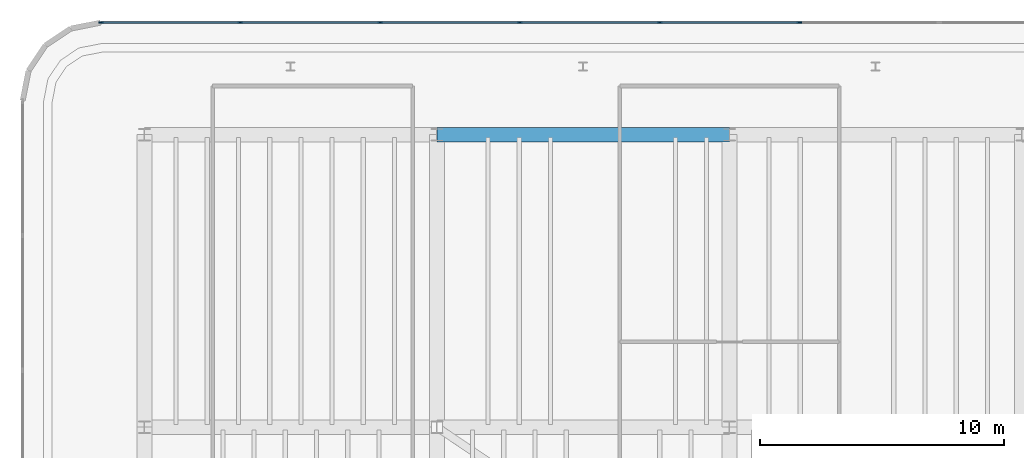
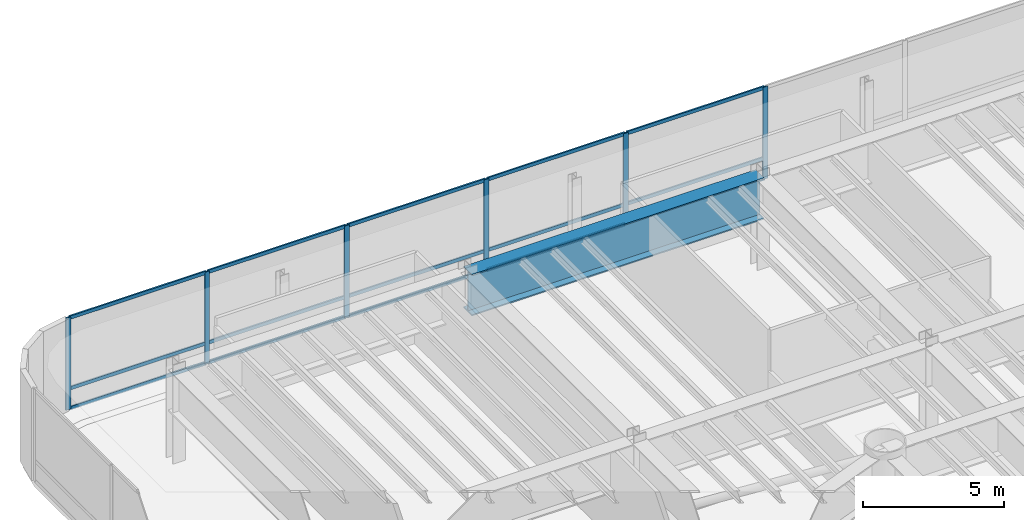
# One storey, part 9 of 18: 21 members, 1 beam, 1 element without a shape of its own.
"""IFC4 building model written with IfcOpenShell, lengths in metres."""

import ifcopenshell
import ifcopenshell.guid

model = None  # the IFC model being written
_history = None  # IfcOwnerHistory: only IFC2X3 demands one
_inside = {}  # id of a spatial element -> (the spatial element, [elements in it])
_under = {}  # id of a project, library or spatial element -> (it, [spatial elements below it])
_declared = {}  # id of a project -> (the project, [libraries it declares])
_typed = {}  # id of a type object -> (the type object, [elements of that type])
_made_of = {}  # id of a material, layer set ... -> (it, [elements and type objects made of it])


def new_model(schema):
    """Start an empty IFC model of exactly this schema.

    Asked for "IFC4X3", IfcOpenShell would pick the latest addendum, in which some entities
    have other attributes; the version numbers below select the first issue.
    IFC2X3 requires an IfcOwnerHistory on every rooted entity: one is made here for all.
    """
    global model, _history
    if schema == "IFC4X3":
        model = ifcopenshell.file(schema_version=(4, 3, 0, 0))
    else:
        model = ifcopenshell.file(schema=schema)
    _inside.clear()
    _under.clear()
    _declared.clear()
    _typed.clear()
    _made_of.clear()
    _history = None
    if model.schema == "IFC2X3":
        org = make("IfcOrganization", Name="unknown")
        user = make(
            "IfcPersonAndOrganization",
            ThePerson=make("IfcPerson", FamilyName="unknown"),
            TheOrganization=org,
        )
        app = make(
            "IfcApplication",
            ApplicationDeveloper=org,
            Version="unknown",
            ApplicationFullName="unknown",
            ApplicationIdentifier="unknown",
        )
        _history = make(
            "IfcOwnerHistory",
            OwningUser=user,
            OwningApplication=app,
            ChangeAction="ADDED",
            CreationDate=0,
        )
    return model


def make(cls, **values):
    """One entity of the class cls with the attributes given. An attribute that is None is left unset."""
    return model.create_entity(
        cls, **{name: value for name, value in values.items() if value is not None}
    )


def rooted(cls, **values):
    """An entity with a GlobalId (a new one), such as an element, a storey or a relation."""
    return make(cls, GlobalId=ifcopenshell.guid.new(), OwnerHistory=_history, **values)


def si_unit(unit_type, name, prefix=None):
    """IfcSIUnit, for example si_unit("LENGTHUNIT", "METRE", prefix="MILLI")."""
    return make("IfcSIUnit", UnitType=unit_type, Prefix=prefix, Name=name)


def assignment(units):
    """IfcUnitAssignment: the units of a project."""
    return None if units is None else make("IfcUnitAssignment", Units=units)


def point(xyz):
    """IfcCartesianPoint."""
    return None if xyz is None else make("IfcCartesianPoint", Coordinates=xyz)


def direction(xyz):
    """IfcDirection."""
    return None if xyz is None else make("IfcDirection", DirectionRatios=xyz)


def frame(location, z_axis=None, x_axis=None):
    """IfcAxis2Placement3D, a coordinate frame: its origin and axes. An axis left out is left unset."""
    return make(
        "IfcAxis2Placement3D",
        Location=point(location),
        Axis=direction(z_axis),
        RefDirection=direction(x_axis),
    )


def frame_2d(location, x_axis=None):
    """IfcAxis2Placement2D, a coordinate frame in the plane: its origin and x axis."""
    return make(
        "IfcAxis2Placement2D", Location=point(location), RefDirection=direction(x_axis)
    )


def origin():
    """The frame at (0, 0, 0) with its axes left unset."""
    return frame((0.0, 0.0, 0.0))


def origin_2d():
    """The frame at (0, 0) in the plane with its x axis left unset."""
    return frame_2d((0.0, 0.0))


def place(relative_to, where):
    """IfcLocalPlacement: puts the frame where relative to a parent placement (None: the world)."""
    return make(
        "IfcLocalPlacement", PlacementRelTo=relative_to, RelativePlacement=where
    )


def context(
    kind, dimensions, precision=None, world=None, true_north=None, identifier=None
):
    """IfcGeometricRepresentationContext, for example the 3D "Model" context."""
    return make(
        "IfcGeometricRepresentationContext",
        ContextIdentifier=identifier,
        ContextType=kind,
        CoordinateSpaceDimension=dimensions,
        Precision=precision,
        WorldCoordinateSystem=world,
        TrueNorth=true_north,
    )


def subcontext(parent, identifier, kind, view, scale=None):
    """IfcGeometricRepresentationSubContext, for example "Body" below "Model"."""
    return make(
        "IfcGeometricRepresentationSubContext",
        ContextIdentifier=identifier,
        ContextType=kind,
        ParentContext=parent,
        TargetScale=scale,
        TargetView=view,
    )


def project(units=None, contexts=None):
    """IfcProject with its units and contexts."""
    return rooted(
        "IfcProject",
        Name="project",
        RepresentationContexts=contexts,
        UnitsInContext=assignment(units),
    )


def spatial(cls, under=None, at=None, **own):
    """A site, building, storey or space (cls), placed at a placement, below another one or the project."""
    s = rooted(cls, ObjectPlacement=at, **own)
    if under is not None:
        _under.setdefault(under.id(), (under, []))[1].append(s)
    return s


def profile(cls, at=None, kind="AREA", **sizes):
    """A parametric profile (cls). Its sizes go by their IFC names, for example OverallWidth=200.0."""
    return make(cls, ProfileType=kind, Position=at, **sizes)


def rectangle(**sizes):
    """IfcRectangleProfileDef."""
    return profile("IfcRectangleProfileDef", **sizes)


def i_section(**sizes):
    """IfcIShapeProfileDef."""
    return profile("IfcIShapeProfileDef", **sizes)


def extrude(swept, where, along, depth):
    """IfcExtrudedAreaSolid: the profile swept, set in the frame where, extruded along a direction by depth."""
    return make(
        "IfcExtrudedAreaSolid",
        SweptArea=swept,
        Position=where,
        ExtrudedDirection=direction(along),
        Depth=depth,
    )


def shape(context_of_items, identifier, shape_type, items):
    """IfcShapeRepresentation: the items that make up one representation, for example the "Body"."""
    return make(
        "IfcShapeRepresentation",
        ContextOfItems=context_of_items,
        RepresentationIdentifier=identifier,
        RepresentationType=shape_type,
        Items=items,
    )


def source(mapping_origin, context_of_items, identifier, shape_type, items):
    """IfcRepresentationMap: a shape defined once, which mapped items show again and again."""
    return make(
        "IfcRepresentationMap",
        MappingOrigin=mapping_origin,
        MappedRepresentation=shape(context_of_items, identifier, shape_type, items),
    )


def transform(
    local_origin,
    x_axis=None,
    y_axis=None,
    z_axis=None,
    scale=None,
    scale2=None,
    scale3=None,
    uniform=True,
):
    """IfcCartesianTransformationOperator3D, or its non-uniform kind. x_axis, y_axis, z_axis: its Axis1, 2, 3."""
    if uniform:
        return make(
            "IfcCartesianTransformationOperator3D",
            Axis1=direction(x_axis),
            Axis2=direction(y_axis),
            LocalOrigin=point(local_origin),
            Scale=scale,
            Axis3=direction(z_axis),
        )
    return make(
        "IfcCartesianTransformationOperator3DnonUniform",
        Axis1=direction(x_axis),
        Axis2=direction(y_axis),
        LocalOrigin=point(local_origin),
        Scale=scale,
        Axis3=direction(z_axis),
        Scale2=scale2,
        Scale3=scale3,
    )


def mapped(mapping_source, mapping_target):
    """IfcMappedItem: shows the shape of a source again, moved by a transform."""
    return make(
        "IfcMappedItem", MappingSource=mapping_source, MappingTarget=mapping_target
    )


def material(Name=None, Category=None):
    """IfcMaterial."""
    return make("IfcMaterial", Name=Name, Category=Category)


def layer(
    of_material, thickness, ventilated=None, Name=None, Category=None, Priority=None
):
    """IfcMaterialLayer: one layer of a wall or slab, of a material (None: an air gap)."""
    return make(
        "IfcMaterialLayer",
        Material=of_material,
        LayerThickness=thickness,
        IsVentilated=ventilated,
        Name=Name,
        Category=Category,
        Priority=Priority,
    )


def layer_set(layers, Name=None):
    """IfcMaterialLayerSet."""
    return make("IfcMaterialLayerSet", MaterialLayers=layers, LayerSetName=Name)


def material_profile(
    of_material, cross_section, Name=None, Category=None, Priority=None
):
    """IfcMaterialProfile: a cross section and its material."""
    return make(
        "IfcMaterialProfile",
        Name=Name,
        Material=of_material,
        Profile=cross_section,
        Priority=Priority,
        Category=Category,
    )


def profile_set(profiles, Name=None, composite=None):
    """IfcMaterialProfileSet."""
    return make(
        "IfcMaterialProfileSet",
        Name=Name,
        MaterialProfiles=profiles,
        CompositeProfile=composite,
    )


def made_of(thing, what):
    """Note that an element or type object is made of a material, layer set ...; save() writes the relation."""
    if what is not None:
        _made_of.setdefault(what.id(), (what, []))[1].append(thing)
    return thing


def type_object(cls, material=None, **own):
    """A type object (cls), such as IfcWallType, which elements share."""
    return made_of(rooted(cls, **own), material)


def element(
    cls,
    number,
    at=None,
    inside=None,
    cuts=None,
    type_object=None,
    material=None,
    context=None,
    identifier="Body",
    shape_type=None,
    held_by="IfcProductDefinitionShape",
    body=None,
    shapes=None,
    **own,
):
    """One element of the class cls, such as IfcWall. Its Tag is "e" and its number.

    at: its placement. inside: the storey or other place that contains it. cuts: it is an
    opening in that element (IfcRelVoidsElement). A single representation is given by context,
    identifier, shape_type and body (its items); several are given by shapes. held_by: the class
    of the entity that holds the representations. save() writes the other relations.
    """
    e = rooted(cls, Tag="e%d" % number, ObjectPlacement=at, **own)
    if body is not None:
        shapes = [shape(context, identifier, shape_type, body)]
    if shapes is not None:
        e.Representation = make(held_by, Representations=shapes)
    if inside is not None:
        _inside.setdefault(inside.id(), (inside, []))[1].append(e)
    if cuts is not None:
        rooted(
            "IfcRelVoidsElement", RelatingBuildingElement=cuts, RelatedOpeningElement=e
        )
    if type_object is not None:
        _typed.setdefault(type_object.id(), (type_object, []))[1].append(e)
    return made_of(e, material)


def aggregate(whole, parts):
    """IfcRelAggregates: a whole, such as a stair, and the parts it consists of."""
    return rooted("IfcRelAggregates", RelatingObject=whole, RelatedObjects=parts)


def save(model, path):
    """Write the relations noted so far, then the file.

    IfcRelAggregates (storeys below a building ...), IfcRelContainedInSpatialStructure (elements
    in a storey), IfcRelDefinesByType, IfcRelAssociatesMaterial and IfcRelDeclares: one each for
    every whole, place, type object, material and project.
    """
    for whole, parts in _under.values():
        aggregate(whole, parts)
    for where, things in _inside.values():
        rooted(
            "IfcRelContainedInSpatialStructure",
            RelatedElements=things,
            RelatingStructure=where,
        )
    for kind, things in _typed.values():
        rooted("IfcRelDefinesByType", RelatedObjects=things, RelatingType=kind)
    for what, things in _made_of.values():
        rooted("IfcRelAssociatesMaterial", RelatedObjects=things, RelatingMaterial=what)
    for by, libraries in _declared.values():
        rooted("IfcRelDeclares", RelatingContext=by, RelatedDefinitions=libraries)
    model.write(path)


model = new_model("IFC4")

# Units and contexts
model_context = context("Model", 3, precision=1e-05, world=origin(), true_north=direction((0.0, 1.0)))
body_context = subcontext(model_context, "Body", "Model", "MODEL_VIEW")
ifc_project = project(units=[si_unit("LENGTHUNIT", "METRE"), si_unit("AREAUNIT", "SQUARE_METRE"), si_unit("VOLUMEUNIT", "CUBIC_METRE"), si_unit("PLANEANGLEUNIT", "RADIAN"), si_unit("MASSUNIT", "GRAM", prefix="KILO")], contexts=[model_context])

# Site, building, storey
site_placement = place(None, origin())
site = spatial("IfcSite", under=ifc_project, at=site_placement, CompositionType="ELEMENT")
building_placement = place(site_placement, origin())
building = spatial("IfcBuilding", under=site, at=building_placement, Name="Brelvock Crest Care Tower", CompositionType="ELEMENT")
storey_placement = place(building_placement, frame((0.0, 0.0, 22.679931640625)))
storey = spatial("IfcBuildingStorey", under=building, at=storey_placement, Name="L05", CompositionType="ELEMENT", Elevation=22.679931640625)

# Beam
ifc_material_1 = material(Name="Steel Grade 350", Category="steel")
ifc_material_profile_1 = material_profile(ifc_material_1, i_section(OverallWidth=0.60009765625, OverallDepth=1.800048828125, WebThickness=0.028076171875, FlangeThickness=0.052001953125, at=origin_2d()), Name="1800TG740")
ifc_profile_set_1 = profile_set([ifc_material_profile_1], Name="Steel Grade 350")
beam_type = type_object("IfcBeamType", Name="BM-TG1", PredefinedType="USERDEFINED", material=ifc_profile_set_1)
shared_shape_1 = source(origin(), body_context, "Body", "SweptSolid", [
    extrude(i_section(OverallWidth=0.60009765625, OverallDepth=1.800048828125, WebThickness=0.028076171875, FlangeThickness=0.052001953125, at=origin_2d()), origin(), (0.0, 0.0, 1.0), 12.0),
])
beam_placement = place(storey_placement, frame((24.0, 54.0, 3.10009765625), z_axis=(1.0, 0.0, 0.0), x_axis=(0.0, 1.0, 0.0)))
element("IfcBeam", 1, at=beam_placement, inside=storey, type_object=beam_type, Name="BM-PODX-L05-54-24", ObjectType="GIRDER", PredefinedType="USERDEFINED", context=body_context, shape_type="MappedRepresentation", body=[
    mapped(shared_shape_1, transform((0.0, 0.0, 0.0), x_axis=(1.0, 0.0, 0.0), y_axis=(0.0, 1.0, 0.0), z_axis=(0.0, 0.0, 1.0), scale=1.0)),
])

# Curtain wall, members
ifc_material_2 = material(Name="Dark Glass Double Glazed Low-E", Category="glass")
ifc_layer = layer(ifc_material_2, 0.179931640625, Name="CWS-1")
ifc_layer_set = layer_set([ifc_layer], Name="Dark Glass Double Glazed Low-E")
curtain_wall_type = type_object("IfcCurtainWallType", Name="CWS-1", PredefinedType="NOTDEFINED", material=ifc_layer_set)
curtain_wall_placement = place(storey_placement, origin())
curtain_wall = element("IfcCurtainWall", 2, at=curtain_wall_placement, inside=storey, type_object=curtain_wall_type, Name="L05 Curtain Wall E09", PredefinedType="NOTDEFINED")
ifc_material_3 = material(Name="Aluminium 6063-T6", Category="aluminium")
ifc_material_profile_2 = material_profile(ifc_material_3, rectangle(XDim=0.06494140625, YDim=0.14990234375, at=origin_2d()), Name="ALU65x150")
ifc_profile_set_2 = profile_set([ifc_material_profile_2], Name="Aluminium 6063-T6")
member_type_1 = type_object("IfcMemberType", Name="CWT-1", PredefinedType="USERDEFINED", material=ifc_profile_set_2)
shared_shape_2 = source(origin(), body_context, "Body", "SweptSolid", [
    extrude(rectangle(XDim=0.06494140625, YDim=0.14990234375, at=origin_2d()), origin(), (0.0, 0.0, 1.0), 5.635986328125),
])
member_1_placement = place(storey_placement, frame((10.264892578125, 58.60009765625, 0.032470703125), z_axis=(1.0, 0.0, 0.0), x_axis=(0.0, 1.0, 0.0)))
member_1 = element("IfcMember", 3, at=member_1_placement, type_object=member_type_1, Name="CW-1 transom 1.1", ObjectType="TRANSOM", PredefinedType="USERDEFINED", context=body_context, shape_type="MappedRepresentation", body=[
    mapped(shared_shape_2, transform((0.0, 0.0, 0.0), x_axis=(1.0, 0.0, 0.0), y_axis=(0.0, 1.0, 0.0), z_axis=(0.0, 0.0, 1.0), scale=1.0)),
])
member_2_placement = place(storey_placement, frame((10.264892578125, 58.60009765625, 0.900146484375), z_axis=(1.0, 0.0, 0.0), x_axis=(0.0, 1.0, 0.0)))
member_2 = element("IfcMember", 4, at=member_2_placement, type_object=member_type_1, Name="CW-1 transom 1.2", ObjectType="TRANSOM", PredefinedType="USERDEFINED", context=body_context, shape_type="MappedRepresentation", body=[
    mapped(shared_shape_2, transform((0.0, 0.0, 0.0), x_axis=(1.0, 0.0, 0.0), y_axis=(0.0, 1.0, 0.0), z_axis=(0.0, 0.0, 1.0), scale=1.0)),
])
member_3_placement = place(storey_placement, frame((10.264892578125, 58.60009765625, 3.967529296875), z_axis=(1.0, 0.0, 0.0), x_axis=(0.0, 1.0, 0.0)))
member_3 = element("IfcMember", 5, at=member_3_placement, type_object=member_type_1, Name="CW-1 transom 1.3", ObjectType="TRANSOM", PredefinedType="USERDEFINED", context=body_context, shape_type="MappedRepresentation", body=[
    mapped(shared_shape_2, transform((0.0, 0.0, 0.0), x_axis=(1.0, 0.0, 0.0), y_axis=(0.0, 1.0, 0.0), z_axis=(0.0, 0.0, 1.0), scale=1.0)),
])
shared_shape_3 = source(origin(), body_context, "Body", "SweptSolid", [
    extrude(rectangle(XDim=0.06494140625, YDim=0.14990234375, at=origin_2d()), origin(), (0.0, 0.0, 1.0), 5.66845703125),
])
member_4_placement = place(storey_placement, frame((15.9658203125, 58.60009765625, 0.032470703125), z_axis=(1.0, 0.0, 0.0), x_axis=(0.0, 1.0, 0.0)))
member_4 = element("IfcMember", 6, at=member_4_placement, type_object=member_type_1, Name="CW-1 transom 2.1", ObjectType="TRANSOM", PredefinedType="USERDEFINED", context=body_context, shape_type="MappedRepresentation", body=[
    mapped(shared_shape_3, transform((0.0, 0.0, 0.0), x_axis=(1.0, 0.0, 0.0), y_axis=(0.0, 1.0, 0.0), z_axis=(0.0, 0.0, 1.0), scale=1.0)),
])
member_5_placement = place(storey_placement, frame((15.9658203125, 58.60009765625, 0.900146484375), z_axis=(1.0, 0.0, 0.0), x_axis=(0.0, 1.0, 0.0)))
member_5 = element("IfcMember", 7, at=member_5_placement, type_object=member_type_1, Name="CW-1 transom 2.2", ObjectType="TRANSOM", PredefinedType="USERDEFINED", context=body_context, shape_type="MappedRepresentation", body=[
    mapped(shared_shape_3, transform((0.0, 0.0, 0.0), x_axis=(1.0, 0.0, 0.0), y_axis=(0.0, 1.0, 0.0), z_axis=(0.0, 0.0, 1.0), scale=1.0)),
])
member_6_placement = place(storey_placement, frame((15.9658203125, 58.60009765625, 3.967529296875), z_axis=(1.0, 0.0, 0.0), x_axis=(0.0, 1.0, 0.0)))
member_6 = element("IfcMember", 8, at=member_6_placement, type_object=member_type_1, Name="CW-1 transom 2.3", ObjectType="TRANSOM", PredefinedType="USERDEFINED", context=body_context, shape_type="MappedRepresentation", body=[
    mapped(shared_shape_3, transform((0.0, 0.0, 0.0), x_axis=(1.0, 0.0, 0.0), y_axis=(0.0, 1.0, 0.0), z_axis=(0.0, 0.0, 1.0), scale=1.0)),
])
member_7_placement = place(storey_placement, frame((33.165771484375, 58.60009765625, 0.032470703125), z_axis=(1.0, 0.0, 0.0), x_axis=(0.0, 1.0, 0.0)))
member_7 = element("IfcMember", 9, at=member_7_placement, type_object=member_type_1, Name="CW-1 transom 5.1", ObjectType="TRANSOM", PredefinedType="USERDEFINED", context=body_context, shape_type="MappedRepresentation", body=[
    mapped(shared_shape_3, transform((0.0, 0.0, 0.0), x_axis=(1.0, 0.0, 0.0), y_axis=(0.0, 1.0, 0.0), z_axis=(0.0, 0.0, 1.0), scale=1.0)),
])
member_8_placement = place(storey_placement, frame((33.165771484375, 58.60009765625, 0.900146484375), z_axis=(1.0, 0.0, 0.0), x_axis=(0.0, 1.0, 0.0)))
member_8 = element("IfcMember", 10, at=member_8_placement, type_object=member_type_1, Name="CW-1 transom 5.2", ObjectType="TRANSOM", PredefinedType="USERDEFINED", context=body_context, shape_type="MappedRepresentation", body=[
    mapped(shared_shape_3, transform((0.0, 0.0, 0.0), x_axis=(1.0, 0.0, 0.0), y_axis=(0.0, 1.0, 0.0), z_axis=(0.0, 0.0, 1.0), scale=1.0)),
])
member_9_placement = place(storey_placement, frame((33.165771484375, 58.60009765625, 3.967529296875), z_axis=(1.0, 0.0, 0.0), x_axis=(0.0, 1.0, 0.0)))
member_9 = element("IfcMember", 11, at=member_9_placement, type_object=member_type_1, Name="CW-1 transom 5.3", ObjectType="TRANSOM", PredefinedType="USERDEFINED", context=body_context, shape_type="MappedRepresentation", body=[
    mapped(shared_shape_3, transform((0.0, 0.0, 0.0), x_axis=(1.0, 0.0, 0.0), y_axis=(0.0, 1.0, 0.0), z_axis=(0.0, 0.0, 1.0), scale=1.0)),
])
shared_shape_4 = source(origin(), body_context, "Body", "SweptSolid", [
    extrude(rectangle(XDim=0.06494140625, YDim=0.14990234375, at=origin_2d()), origin(), (0.0, 0.0, 1.0), 5.668212890625),
])
member_10_placement = place(storey_placement, frame((21.69921875, 58.60009765625, 0.032470703125), z_axis=(1.0, 0.0, 0.0), x_axis=(0.0, 1.0, 0.0)))
member_10 = element("IfcMember", 12, at=member_10_placement, type_object=member_type_1, Name="CW-1 transom 3.1", ObjectType="TRANSOM", PredefinedType="USERDEFINED", context=body_context, shape_type="MappedRepresentation", body=[
    mapped(shared_shape_4, transform((0.0, 0.0, 0.0), x_axis=(1.0, 0.0, 0.0), y_axis=(0.0, 1.0, 0.0), z_axis=(0.0, 0.0, 1.0), scale=1.0)),
])
member_11_placement = place(storey_placement, frame((21.69921875, 58.60009765625, 0.900146484375), z_axis=(1.0, 0.0, 0.0), x_axis=(0.0, 1.0, 0.0)))
member_11 = element("IfcMember", 13, at=member_11_placement, type_object=member_type_1, Name="CW-1 transom 3.2", ObjectType="TRANSOM", PredefinedType="USERDEFINED", context=body_context, shape_type="MappedRepresentation", body=[
    mapped(shared_shape_4, transform((0.0, 0.0, 0.0), x_axis=(1.0, 0.0, 0.0), y_axis=(0.0, 1.0, 0.0), z_axis=(0.0, 0.0, 1.0), scale=1.0)),
])
member_12_placement = place(storey_placement, frame((21.69921875, 58.60009765625, 3.967529296875), z_axis=(1.0, 0.0, 0.0), x_axis=(0.0, 1.0, 0.0)))
member_12 = element("IfcMember", 14, at=member_12_placement, type_object=member_type_1, Name="CW-1 transom 3.3", ObjectType="TRANSOM", PredefinedType="USERDEFINED", context=body_context, shape_type="MappedRepresentation", body=[
    mapped(shared_shape_4, transform((0.0, 0.0, 0.0), x_axis=(1.0, 0.0, 0.0), y_axis=(0.0, 1.0, 0.0), z_axis=(0.0, 0.0, 1.0), scale=1.0)),
])
member_13_placement = place(storey_placement, frame((27.4326171875, 58.60009765625, 0.032470703125), z_axis=(1.0, 0.0, 0.0), x_axis=(0.0, 1.0, 0.0)))
member_13 = element("IfcMember", 15, at=member_13_placement, type_object=member_type_1, Name="CW-1 transom 4.1", ObjectType="TRANSOM", PredefinedType="USERDEFINED", context=body_context, shape_type="MappedRepresentation", body=[
    mapped(shared_shape_4, transform((0.0, 0.0, 0.0), x_axis=(1.0, 0.0, 0.0), y_axis=(0.0, 1.0, 0.0), z_axis=(0.0, 0.0, 1.0), scale=1.0)),
])
member_14_placement = place(storey_placement, frame((27.4326171875, 58.60009765625, 0.900146484375), z_axis=(1.0, 0.0, 0.0), x_axis=(0.0, 1.0, 0.0)))
member_14 = element("IfcMember", 16, at=member_14_placement, type_object=member_type_1, Name="CW-1 transom 4.2", ObjectType="TRANSOM", PredefinedType="USERDEFINED", context=body_context, shape_type="MappedRepresentation", body=[
    mapped(shared_shape_4, transform((0.0, 0.0, 0.0), x_axis=(1.0, 0.0, 0.0), y_axis=(0.0, 1.0, 0.0), z_axis=(0.0, 0.0, 1.0), scale=1.0)),
])
member_15_placement = place(storey_placement, frame((27.4326171875, 58.60009765625, 3.967529296875), z_axis=(1.0, 0.0, 0.0), x_axis=(0.0, 1.0, 0.0)))
member_15 = element("IfcMember", 17, at=member_15_placement, type_object=member_type_1, Name="CW-1 transom 4.3", ObjectType="TRANSOM", PredefinedType="USERDEFINED", context=body_context, shape_type="MappedRepresentation", body=[
    mapped(shared_shape_4, transform((0.0, 0.0, 0.0), x_axis=(1.0, 0.0, 0.0), y_axis=(0.0, 1.0, 0.0), z_axis=(0.0, 0.0, 1.0), scale=1.0)),
])
ifc_material_profile_3 = material_profile(ifc_material_3, rectangle(XDim=0.06494140625, YDim=0.199951171875, at=origin_2d()), Name="ALU65x200")
ifc_profile_set_3 = profile_set([ifc_material_profile_3], Name="Aluminium 6063-T6")
member_type_2 = type_object("IfcMemberType", Name="CWM-1", PredefinedType="MULLION", material=ifc_profile_set_3)
shared_shape_5 = source(origin(), body_context, "Body", "SweptSolid", [
    extrude(rectangle(XDim=0.06494140625, YDim=0.199951171875, at=origin_2d()), origin(), (0.0, 0.0, 1.0), 4.0),
])
member_16_placement = place(storey_placement, frame((10.232421875, 58.60009765625, 0.0), z_axis=(0.0, 0.0, 1.0), x_axis=(0.0, 1.0, 0.0)))
member_16 = element("IfcMember", 18, at=member_16_placement, type_object=member_type_2, Name="CW-1 mullion 1", PredefinedType="MULLION", context=body_context, shape_type="MappedRepresentation", body=[
    mapped(shared_shape_5, transform((0.0, 0.0, 0.0), x_axis=(1.0, 0.0, 0.0), y_axis=(0.0, 1.0, 0.0), z_axis=(0.0, 0.0, 1.0), scale=1.0)),
])
member_17_placement = place(storey_placement, frame((15.933349609375, 58.60009765625, 0.0), z_axis=(0.0, 0.0, 1.0), x_axis=(0.0, 1.0, 0.0)))
member_17 = element("IfcMember", 19, at=member_17_placement, type_object=member_type_2, Name="CW-1 mullion 2", PredefinedType="MULLION", context=body_context, shape_type="MappedRepresentation", body=[
    mapped(shared_shape_5, transform((0.0, 0.0, 0.0), x_axis=(1.0, 0.0, 0.0), y_axis=(0.0, 1.0, 0.0), z_axis=(0.0, 0.0, 1.0), scale=1.0)),
])
member_18_placement = place(storey_placement, frame((21.666748046875, 58.60009765625, 0.0), z_axis=(0.0, 0.0, 1.0), x_axis=(0.0, 1.0, 0.0)))
member_18 = element("IfcMember", 20, at=member_18_placement, type_object=member_type_2, Name="CW-1 mullion 3", PredefinedType="MULLION", context=body_context, shape_type="MappedRepresentation", body=[
    mapped(shared_shape_5, transform((0.0, 0.0, 0.0), x_axis=(1.0, 0.0, 0.0), y_axis=(0.0, 1.0, 0.0), z_axis=(0.0, 0.0, 1.0), scale=1.0)),
])
member_19_placement = place(storey_placement, frame((27.39990234375, 58.60009765625, 0.0), z_axis=(0.0, 0.0, 1.0), x_axis=(0.0, 1.0, 0.0)))
member_19 = element("IfcMember", 21, at=member_19_placement, type_object=member_type_2, Name="CW-1 mullion 4", PredefinedType="MULLION", context=body_context, shape_type="MappedRepresentation", body=[
    mapped(shared_shape_5, transform((0.0, 0.0, 0.0), x_axis=(1.0, 0.0, 0.0), y_axis=(0.0, 1.0, 0.0), z_axis=(0.0, 0.0, 1.0), scale=1.0)),
])
member_20_placement = place(storey_placement, frame((33.13330078125, 58.60009765625, 0.0), z_axis=(0.0, 0.0, 1.0), x_axis=(0.0, 1.0, 0.0)))
member_20 = element("IfcMember", 22, at=member_20_placement, type_object=member_type_2, Name="CW-1 mullion 5", PredefinedType="MULLION", context=body_context, shape_type="MappedRepresentation", body=[
    mapped(shared_shape_5, transform((0.0, 0.0, 0.0), x_axis=(1.0, 0.0, 0.0), y_axis=(0.0, 1.0, 0.0), z_axis=(0.0, 0.0, 1.0), scale=1.0)),
])
member_21_placement = place(storey_placement, frame((38.86669921875, 58.60009765625, 0.0), z_axis=(0.0, 0.0, 1.0), x_axis=(0.0, 1.0, 0.0)))
member_21 = element("IfcMember", 23, at=member_21_placement, type_object=member_type_2, Name="CW-1 mullion 6", PredefinedType="MULLION", context=body_context, shape_type="MappedRepresentation", body=[
    mapped(shared_shape_5, transform((0.0, 0.0, 0.0), x_axis=(1.0, 0.0, 0.0), y_axis=(0.0, 1.0, 0.0), z_axis=(0.0, 0.0, 1.0), scale=1.0)),
])
aggregate(curtain_wall, [member_16, member_17, member_18, member_19, member_20, member_21, member_1, member_2, member_3, member_4, member_5, member_6, member_10, member_11, member_12, member_13, member_14, member_15, member_7, member_8, member_9])

save(model, "model.ifc")
